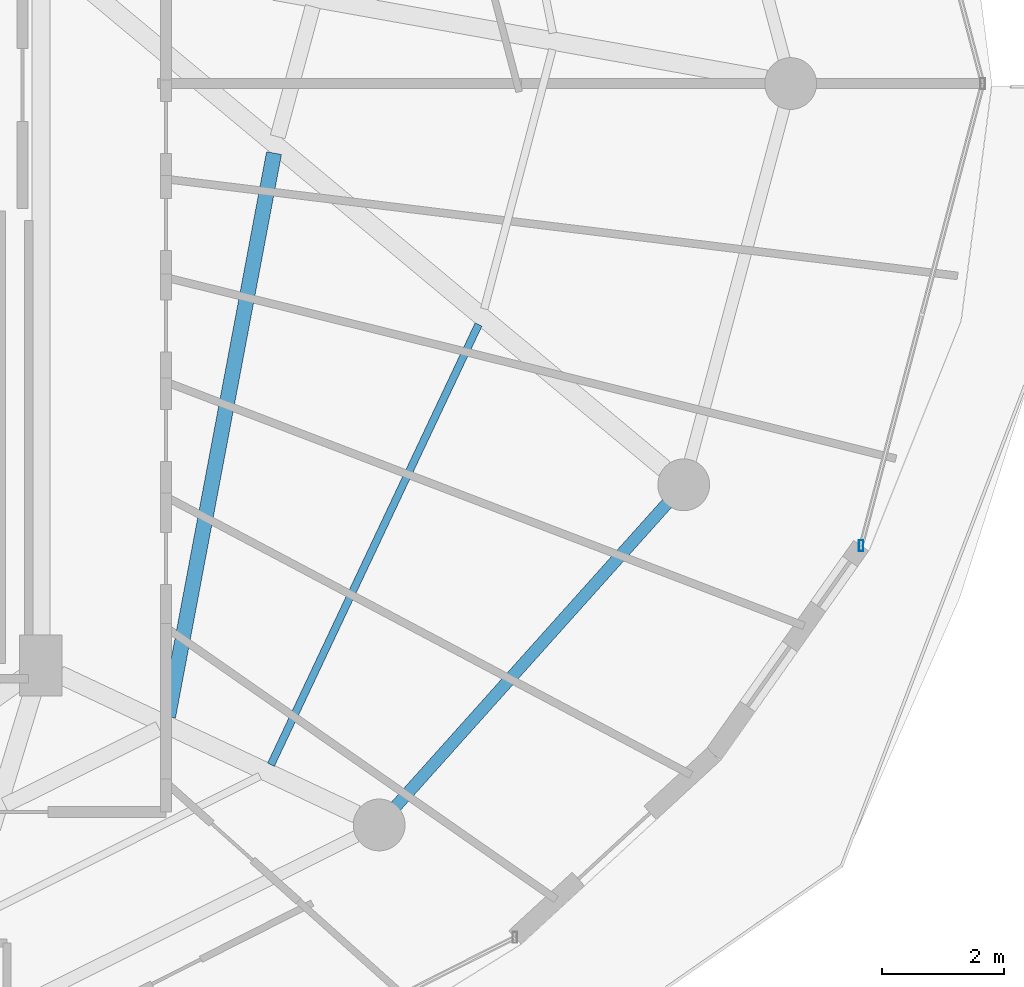
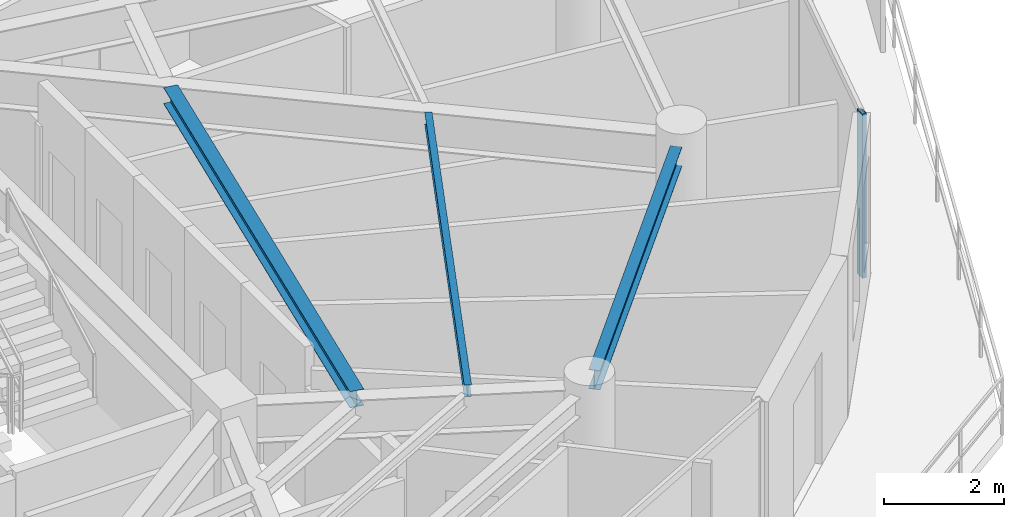
# One storey, part 12 of 30: 3 beams, 1 member, 1 element without a shape of its own.
"""IFC4 building model written with IfcOpenShell, lengths in metres."""

from ifc_helpers import new_model, si_unit, direction, frame, origin, origin_2d, place, context, subcontext, project, spatial, hollow_rectangle, i_section, extrude, material, material_profile, profile_set, type_object, element, aggregate, save


model = new_model("IFC4")

# Units and contexts
model_context = context("Model", 3, precision=1e-05, world=origin(), true_north=direction((0.0, 1.0)))
body_context = subcontext(model_context, "Body", "Model", "MODEL_VIEW")
ifc_project = project(units=[si_unit("LENGTHUNIT", "METRE"), si_unit("AREAUNIT", "SQUARE_METRE"), si_unit("VOLUMEUNIT", "CUBIC_METRE"), si_unit("PLANEANGLEUNIT", "RADIAN"), si_unit("MASSUNIT", "GRAM", prefix="KILO")], contexts=[model_context])

# Site, building, storey
site_placement = place(None, origin())
site = spatial("IfcSite", under=ifc_project, at=site_placement, CompositionType="ELEMENT")
building_placement = place(site_placement, origin())
building = spatial("IfcBuilding", under=site, at=building_placement, Name="Vorneva Point Tower", CompositionType="ELEMENT")
storey_placement = place(building_placement, frame((0.0, 0.0, 262.64990234375)))
storey = spatial("IfcBuildingStorey", under=building, at=storey_placement, Name="L71", CompositionType="ELEMENT", Elevation=262.64990234375)

# Beams
ifc_material_1 = material(Name="Steel S355", Category="steel")
ifc_material_profile_1 = material_profile(ifc_material_1, i_section(OverallWidth=0.1240234375, OverallDepth=0.248046875, WebThickness=0.0048828125, FlangeThickness=0.008056640625, at=origin_2d()), Name="25B1")
ifc_profile_set_1 = profile_set([ifc_material_profile_1], Name="Steel S355")
beam_type_1 = type_object("IfcBeamType", Name="BM-JST-25B1", PredefinedType="JOIST", material=ifc_profile_set_1)
beam_1_placement = place(storey_placement, frame((52.523681640625, 14.825927734375, 3.166015625), z_axis=(0.426534668543, 0.904471213766, 0.0), x_axis=(-0.904471213766, 0.426534668543, 0.0)))
element("IfcBeam", 1, at=beam_1_placement, inside=storey, type_object=beam_type_1, Name="L71 Secondary Floor Beam 1.15", PredefinedType="JOIST", context=body_context, shape_type="SweptSolid", body=[
    extrude(i_section(OverallWidth=0.1240234375, OverallDepth=0.248046875, WebThickness=0.0048828125, FlangeThickness=0.008056640625, at=origin_2d()), origin(), (0.0, 0.0, 1.0), 7.984130859375),
])
ifc_material_profile_2 = material_profile(ifc_material_1, i_section(OverallWidth=0.2490234375, OverallDepth=0.333984375, WebThickness=0.008056640625, FlangeThickness=0.010986328125, at=origin_2d()), Name="35Sh1")
ifc_profile_set_2 = profile_set([ifc_material_profile_2], Name="Steel S355")
beam_type_2 = type_object("IfcBeamType", Name="BM-SEC-35Sh1", PredefinedType="BEAM", material=ifc_profile_set_2)
beam_2_placement = place(storey_placement, frame((50.83544921875, 15.615966796875, 3.123046875), z_axis=(0.184830813221, 0.982770354907, 0.0), x_axis=(-0.982770354907, 0.184830813221, 0.0)))
element("IfcBeam", 2, at=beam_2_placement, inside=storey, type_object=beam_type_2, Name="L71 Secondary Floor Beam 2.15", PredefinedType="BEAM", context=body_context, shape_type="SweptSolid", body=[
    extrude(i_section(OverallWidth=0.2490234375, OverallDepth=0.333984375, WebThickness=0.008056640625, FlangeThickness=0.010986328125, at=origin_2d()), origin(), (0.0, 0.0, 1.0), 9.40478515625),
])
ifc_material_profile_3 = material_profile(ifc_material_1, i_section(OverallWidth=0.198974609375, OverallDepth=0.39599609375, WebThickness=0.007080078125, FlangeThickness=0.010986328125, at=origin_2d()), Name="40B1")
ifc_profile_set_3 = profile_set([ifc_material_profile_3], Name="Steel S355")
beam_type_3 = type_object("IfcBeamType", Name="BM-SPN-40B1", PredefinedType="SPANDREL", material=ifc_profile_set_3)
beam_3_placement = place(storey_placement, frame((54.572265625, 14.143310546875, 3.092041015625), z_axis=(0.667108282638, 0.744960763554, 0.0), x_axis=(-0.744960763554, 0.667108282638, 0.0)))
element("IfcBeam", 3, at=beam_3_placement, inside=storey, type_object=beam_type_3, Name="L71 Perimeter Spandrel Ring Beam 15", PredefinedType="SPANDREL", context=body_context, shape_type="SweptSolid", body=[
    extrude(i_section(OverallWidth=0.198974609375, OverallDepth=0.39599609375, WebThickness=0.007080078125, FlangeThickness=0.010986328125, at=origin_2d()), origin(), (0.0, 0.0, 1.0), 6.670166015625),
])

# Curtain wall, member
ifc_material_2 = material(Name="Pale anodised aluminium", Category="aluminium")
curtain_wall_type = type_object("IfcCurtainWallType", Name="CW-RES-SYS", PredefinedType="NOTDEFINED", material=ifc_material_2)
curtain_wall_placement = place(storey_placement, origin())
curtain_wall = element("IfcCurtainWall", 4, at=curtain_wall_placement, inside=storey, type_object=curtain_wall_type, Name="L71 Unitised Curtain Wall CW-L71-R01", PredefinedType="NOTDEFINED")
ifc_material_profile_4 = material_profile(ifc_material_2, hollow_rectangle(XDim=0.074951171875, YDim=0.179931640625, WallThickness=0.00390625, at=origin_2d()), Name="AL-MUL 180x75x4")
ifc_profile_set_4 = profile_set([ifc_material_profile_4], Name="Pale anodised aluminium")
member_type = type_object("IfcMemberType", Name="CW-MUL-180", PredefinedType="MULLION", material=ifc_profile_set_4)
member_placement = place(storey_placement, frame((62.20556640625, 18.4189453125, -0.039794921875), z_axis=(0.0, 0.0, 1.0), x_axis=(1.0, 0.0, 0.0)))
member = element("IfcMember", 5, at=member_placement, type_object=member_type, Name="CW-L71-R01 Mullion 01", PredefinedType="MULLION", context=body_context, shape_type="SweptSolid", body=[
    extrude(hollow_rectangle(XDim=0.074951171875, YDim=0.179931640625, WallThickness=0.00390625, at=origin_2d()), origin(), (0.0, 0.0, 1.0), 3.35986328125),
])
aggregate(curtain_wall, [member])

save(model, "model.ifc")
